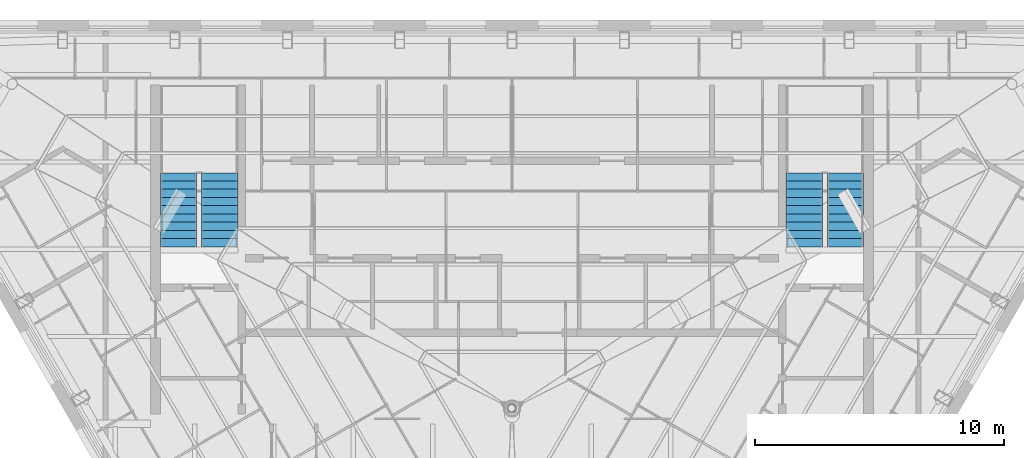
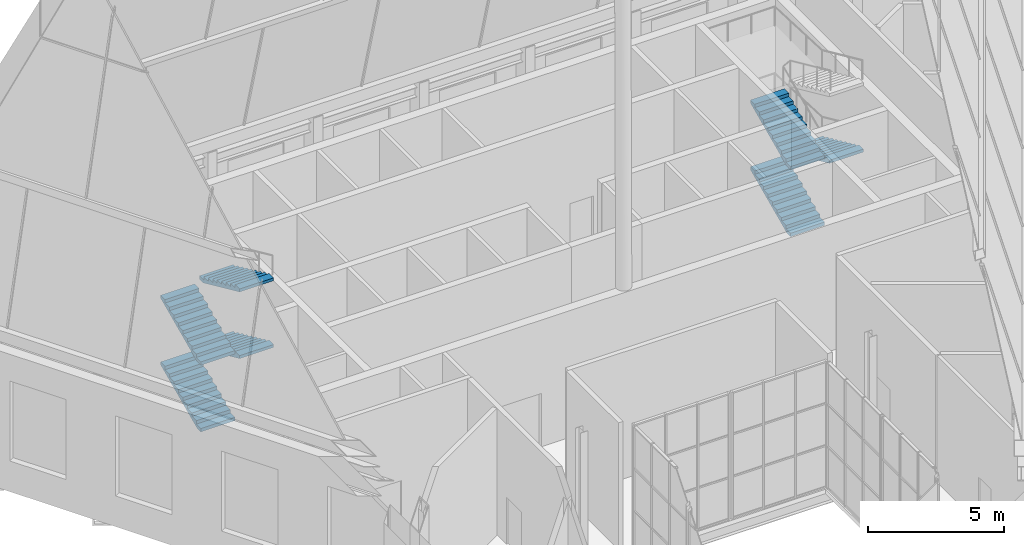
# One storey, part 34 of 36: 7 stair flights, 2 elements without a shape of their own.
"""IFC4 building model written with IfcOpenShell, lengths in metres."""

from ifc_helpers import new_model, si_unit, direction, frame, origin, place, context, subcontext, project, spatial, polygons, material, type_object, element, aggregate, save


model = new_model("IFC4")

# Units and contexts
model_context = context("Model", 3, precision=1e-05, world=origin(), true_north=direction((0.0, 1.0)))
body_context = subcontext(model_context, "Body", "Model", "MODEL_VIEW")
ifc_project = project(units=[si_unit("LENGTHUNIT", "METRE"), si_unit("AREAUNIT", "SQUARE_METRE"), si_unit("VOLUMEUNIT", "CUBIC_METRE"), si_unit("PLANEANGLEUNIT", "RADIAN"), si_unit("MASSUNIT", "GRAM", prefix="KILO")], contexts=[model_context])

# Site, building, storey
site_placement = place(None, origin())
site = spatial("IfcSite", under=ifc_project, at=site_placement, CompositionType="ELEMENT")
building_placement = place(site_placement, origin())
building = spatial("IfcBuilding", under=site, at=building_placement, Name="Njiva Tower", CompositionType="ELEMENT")
storey_placement = place(building_placement, frame((0.0, 0.0, 337.8)))
storey = spatial("IfcBuildingStorey", under=building, at=storey_placement, Name="L77", CompositionType="ELEMENT", Elevation=337.8)

# Stair, stair flights
ifc_material = material(Name="Concrete C40/50", Category="concrete")
stair_type = type_object("IfcStairType", Name="ST3 Exit stair 1450", PredefinedType="HALF_TURN_STAIR", material=ifc_material)
stair_1_placement = place(storey_placement, origin())
stair_1 = element("IfcStair", 1, at=stair_1_placement, inside=storey, type_object=stair_type, Name="Stair A", PredefinedType="DOUBLE_RETURN_STAIR")
stair_flight_type = type_object("IfcStairFlightType", Name="FL3 Stair flight 1450", PredefinedType="STRAIGHT", material=ifc_material)
stair_flight_1_placement = place(storey_placement, frame((-13.375, 11.1, 0.0), z_axis=(0.0, 0.0, 1.0), x_axis=(0.0, 1.0, 0.0)))
stair_flight_1 = element("IfcStairFlight", 2, at=stair_flight_1_placement, type_object=stair_flight_type, Name="ST-A flight 1", NumberOfRisers=10, NumberOfTreads=9, PredefinedType="STRAIGHT", RiserHeight=0.15, TreadLength=0.33, context=body_context, shape_type="Tessellation", body=[
    polygons([(0.0, 0.725, 0.0), (0.0, 0.3625, 0.0), (0.0, 0.0, 0.0), (0.0, -0.3625, 0.0), (0.0, -0.725, 0.0), (0.0, 0.725, 0.15), (0.0, 0.3625, 0.15), (0.0, 0.0, 0.15), (0.0, -0.3625, 0.15), (0.0, -0.725, 0.15), (0.33, 0.725, 0.15), (0.33, 0.3625, 0.15), (0.33, 0.0, 0.15), (0.33, -0.3625, 0.15), (0.33, -0.725, 0.15), (0.33, 0.725, 0.3), (0.33, 0.3625, 0.3), (0.33, 0.0, 0.3), (0.33, -0.3625, 0.3), (0.33, -0.725, 0.3), (0.66, 0.725, 0.3), (0.66, 0.3625, 0.3), (0.66, 0.0, 0.3), (0.66, -0.3625, 0.3), (0.66, -0.725, 0.3), (0.66, 0.725, 0.45), (0.66, 0.3625, 0.45), (0.66, 0.0, 0.45), (0.66, -0.3625, 0.45), (0.66, -0.725, 0.45), (0.99, 0.725, 0.45), (0.99, 0.3625, 0.45), (0.99, 0.0, 0.45), (0.99, -0.3625, 0.45), (0.99, -0.725, 0.45), (0.99, 0.725, 0.6), (0.99, 0.3625, 0.6), (0.99, 0.0, 0.6), (0.99, -0.3625, 0.6), (0.99, -0.725, 0.6), (1.32, 0.725, 0.6), (1.32, 0.3625, 0.6), (1.32, 0.0, 0.6), (1.32, -0.3625, 0.6), (1.32, -0.725, 0.6), (1.32, 0.725, 0.75), (1.32, 0.3625, 0.75), (1.32, 0.0, 0.75), (1.32, -0.3625, 0.75), (1.32, -0.725, 0.75), (1.65, 0.725, 0.75), (1.65, 0.3625, 0.75), (1.65, 0.0, 0.75), (1.65, -0.3625, 0.75), (1.65, -0.725, 0.75), (1.65, 0.725, 0.9), (1.65, 0.3625, 0.9), (1.65, 0.0, 0.9), (1.65, -0.3625, 0.9), (1.65, -0.725, 0.9), (1.98, 0.725, 0.9), (1.98, 0.3625, 0.9), (1.98, 0.0, 0.9), (1.98, -0.3625, 0.9), (1.98, -0.725, 0.9), (1.98, 0.725, 1.05), (1.98, 0.3625, 1.05), (1.98, 0.0, 1.05), (1.98, -0.3625, 1.05), (1.98, -0.725, 1.05), (2.31, 0.725, 1.05), (2.31, 0.3625, 1.05), (2.31, 0.0, 1.05), (2.31, -0.3625, 1.05), (2.31, -0.725, 1.05), (2.31, 0.725, 1.2), (2.31, 0.3625, 1.2), (2.31, 0.0, 1.2), (2.31, -0.3625, 1.2), (2.31, -0.725, 1.2), (2.64, 0.725, 1.2), (2.64, 0.3625, 1.2), (2.64, 0.0, 1.2), (2.64, -0.3625, 1.2), (2.64, -0.725, 1.2), (2.64, 0.725, 1.35), (2.64, 0.3625, 1.35), (2.64, 0.0, 1.35), (2.64, -0.3625, 1.35), (2.64, -0.725, 1.35), (2.97, 0.725, 1.35), (2.97, 0.3625, 1.35), (2.97, 0.0, 1.35), (2.97, -0.3625, 1.35), (2.97, -0.725, 1.35), (2.97, 0.725, 1.2182), (2.97, 0.3625, 1.2182), (2.97, 0.0, 1.2182), (2.97, -0.3625, 1.2182), (2.97, -0.725, 1.2182), (0.29, 0.725, 0.0), (0.29, 0.3625, 0.0), (0.29, 0.0, 0.0), (0.29, -0.3625, 0.0), (0.29, -0.725, 0.0)], [[[1, 6, 11, 16, 21, 26, 31, 36, 41, 46, 51, 56, 61, 66, 71, 76, 81, 86, 91, 96, 101]], [[105, 100, 95, 90, 85, 80, 75, 70, 65, 60, 55, 50, 45, 40, 35, 30, 25, 20, 15, 10, 5]], [[6, 1, 2, 7]], [[7, 2, 3, 8]], [[8, 3, 4, 9]], [[9, 4, 5, 10]], [[11, 6, 7, 12]], [[12, 7, 8, 13]], [[13, 8, 9, 14]], [[14, 9, 10, 15]], [[16, 11, 12, 17]], [[17, 12, 13, 18]], [[18, 13, 14, 19]], [[19, 14, 15, 20]], [[21, 16, 17, 22]], [[22, 17, 18, 23]], [[23, 18, 19, 24]], [[24, 19, 20, 25]], [[26, 21, 22, 27]], [[27, 22, 23, 28]], [[28, 23, 24, 29]], [[29, 24, 25, 30]], [[31, 26, 27, 32]], [[32, 27, 28, 33]], [[33, 28, 29, 34]], [[34, 29, 30, 35]], [[36, 31, 32, 37]], [[37, 32, 33, 38]], [[38, 33, 34, 39]], [[39, 34, 35, 40]], [[41, 36, 37, 42]], [[42, 37, 38, 43]], [[43, 38, 39, 44]], [[44, 39, 40, 45]], [[46, 41, 42, 47]], [[47, 42, 43, 48]], [[48, 43, 44, 49]], [[49, 44, 45, 50]], [[51, 46, 47, 52]], [[52, 47, 48, 53]], [[53, 48, 49, 54]], [[54, 49, 50, 55]], [[56, 51, 52, 57]], [[57, 52, 53, 58]], [[58, 53, 54, 59]], [[59, 54, 55, 60]], [[61, 56, 57, 62]], [[62, 57, 58, 63]], [[63, 58, 59, 64]], [[64, 59, 60, 65]], [[66, 61, 62, 67]], [[67, 62, 63, 68]], [[68, 63, 64, 69]], [[69, 64, 65, 70]], [[71, 66, 67, 72]], [[72, 67, 68, 73]], [[73, 68, 69, 74]], [[74, 69, 70, 75]], [[76, 71, 72, 77]], [[77, 72, 73, 78]], [[78, 73, 74, 79]], [[79, 74, 75, 80]], [[81, 76, 77, 82]], [[82, 77, 78, 83]], [[83, 78, 79, 84]], [[84, 79, 80, 85]], [[86, 81, 82, 87]], [[87, 82, 83, 88]], [[88, 83, 84, 89]], [[89, 84, 85, 90]], [[91, 86, 87, 92]], [[92, 87, 88, 93]], [[93, 88, 89, 94]], [[94, 89, 90, 95]], [[96, 91, 92, 97]], [[97, 92, 93, 98]], [[98, 93, 94, 99]], [[99, 94, 95, 100]], [[101, 96, 97, 102]], [[102, 97, 98, 103]], [[103, 98, 99, 104]], [[104, 99, 100, 105]], [[1, 101, 102, 2]], [[2, 102, 103, 3]], [[3, 103, 104, 4]], [[4, 104, 105, 5]]], closed=True),
])
stair_flight_2_placement = place(storey_placement, frame((-11.725, 14.07, 1.5), z_axis=(0.0, 0.0, 1.0), x_axis=(0.0, -1.0, 0.0)))
stair_flight_2 = element("IfcStairFlight", 3, at=stair_flight_2_placement, type_object=stair_flight_type, Name="ST-A flight 2", NumberOfRisers=10, NumberOfTreads=9, PredefinedType="STRAIGHT", RiserHeight=0.15, TreadLength=0.33, context=body_context, shape_type="Tessellation", body=[
    polygons([(0.0, 0.725, 0.0), (0.0, 0.3625, 0.0), (0.0, 0.0, 0.0), (0.0, -0.3625, 0.0), (0.0, -0.725, 0.0), (0.0, 0.725, 0.15), (0.0, 0.3625, 0.15), (0.0, 0.0, 0.15), (0.0, -0.3625, 0.15), (0.0, -0.725, 0.15), (0.33, 0.725, 0.15), (0.33, 0.3625, 0.15), (0.33, 0.0, 0.15), (0.33, -0.3625, 0.15), (0.33, -0.725, 0.15), (0.33, 0.725, 0.3), (0.33, 0.3625, 0.3), (0.33, 0.0, 0.3), (0.33, -0.3625, 0.3), (0.33, -0.725, 0.3), (0.66, 0.725, 0.3), (0.66, 0.3625, 0.3), (0.66, 0.0, 0.3), (0.66, -0.3625, 0.3), (0.66, -0.725, 0.3), (0.66, 0.725, 0.45), (0.66, 0.3625, 0.45), (0.66, 0.0, 0.45), (0.66, -0.3625, 0.45), (0.66, -0.725, 0.45), (0.99, 0.725, 0.45), (0.99, 0.3625, 0.45), (0.99, 0.0, 0.45), (0.99, -0.3625, 0.45), (0.99, -0.725, 0.45), (0.99, 0.725, 0.6), (0.99, 0.3625, 0.6), (0.99, 0.0, 0.6), (0.99, -0.3625, 0.6), (0.99, -0.725, 0.6), (1.32, 0.725, 0.6), (1.32, 0.3625, 0.6), (1.32, 0.0, 0.6), (1.32, -0.3625, 0.6), (1.32, -0.725, 0.6), (1.32, 0.725, 0.75), (1.32, 0.3625, 0.75), (1.32, 0.0, 0.75), (1.32, -0.3625, 0.75), (1.32, -0.725, 0.75), (1.65, 0.725, 0.75), (1.65, 0.3625, 0.75), (1.65, 0.0, 0.75), (1.65, -0.3625, 0.75), (1.65, -0.725, 0.75), (1.65, 0.725, 0.9), (1.65, 0.3625, 0.9), (1.65, 0.0, 0.9), (1.65, -0.3625, 0.9), (1.65, -0.725, 0.9), (1.98, 0.725, 0.9), (1.98, 0.3625, 0.9), (1.98, 0.0, 0.9), (1.98, -0.3625, 0.9), (1.98, -0.725, 0.9), (1.98, 0.725, 1.05), (1.98, 0.3625, 1.05), (1.98, 0.0, 1.05), (1.98, -0.3625, 1.05), (1.98, -0.725, 1.05), (2.31, 0.725, 1.05), (2.31, 0.3625, 1.05), (2.31, 0.0, 1.05), (2.31, -0.3625, 1.05), (2.31, -0.725, 1.05), (2.31, 0.725, 1.2), (2.31, 0.3625, 1.2), (2.31, 0.0, 1.2), (2.31, -0.3625, 1.2), (2.31, -0.725, 1.2), (2.64, 0.725, 1.2), (2.64, 0.3625, 1.2), (2.64, 0.0, 1.2), (2.64, -0.3625, 1.2), (2.64, -0.725, 1.2), (2.64, 0.725, 1.35), (2.64, 0.3625, 1.35), (2.64, 0.0, 1.35), (2.64, -0.3625, 1.35), (2.64, -0.725, 1.35), (2.97, 0.725, 1.35), (2.97, 0.3625, 1.35), (2.97, 0.0, 1.35), (2.97, -0.3625, 1.35), (2.97, -0.725, 1.35), (2.97, 0.725, 1.2182), (2.97, 0.3625, 1.2182), (2.97, 0.0, 1.2182), (2.97, -0.3625, 1.2182), (2.97, -0.725, 1.2182), (0.29, 0.725, 0.0), (0.29, 0.3625, 0.0), (0.29, 0.0, 0.0), (0.29, -0.3625, 0.0), (0.29, -0.725, 0.0)], [[[1, 6, 11, 16, 21, 26, 31, 36, 41, 46, 51, 56, 61, 66, 71, 76, 81, 86, 91, 96, 101]], [[105, 100, 95, 90, 85, 80, 75, 70, 65, 60, 55, 50, 45, 40, 35, 30, 25, 20, 15, 10, 5]], [[6, 1, 2, 7]], [[7, 2, 3, 8]], [[8, 3, 4, 9]], [[9, 4, 5, 10]], [[11, 6, 7, 12]], [[12, 7, 8, 13]], [[13, 8, 9, 14]], [[14, 9, 10, 15]], [[16, 11, 12, 17]], [[17, 12, 13, 18]], [[18, 13, 14, 19]], [[19, 14, 15, 20]], [[21, 16, 17, 22]], [[22, 17, 18, 23]], [[23, 18, 19, 24]], [[24, 19, 20, 25]], [[26, 21, 22, 27]], [[27, 22, 23, 28]], [[28, 23, 24, 29]], [[29, 24, 25, 30]], [[31, 26, 27, 32]], [[32, 27, 28, 33]], [[33, 28, 29, 34]], [[34, 29, 30, 35]], [[36, 31, 32, 37]], [[37, 32, 33, 38]], [[38, 33, 34, 39]], [[39, 34, 35, 40]], [[41, 36, 37, 42]], [[42, 37, 38, 43]], [[43, 38, 39, 44]], [[44, 39, 40, 45]], [[46, 41, 42, 47]], [[47, 42, 43, 48]], [[48, 43, 44, 49]], [[49, 44, 45, 50]], [[51, 46, 47, 52]], [[52, 47, 48, 53]], [[53, 48, 49, 54]], [[54, 49, 50, 55]], [[56, 51, 52, 57]], [[57, 52, 53, 58]], [[58, 53, 54, 59]], [[59, 54, 55, 60]], [[61, 56, 57, 62]], [[62, 57, 58, 63]], [[63, 58, 59, 64]], [[64, 59, 60, 65]], [[66, 61, 62, 67]], [[67, 62, 63, 68]], [[68, 63, 64, 69]], [[69, 64, 65, 70]], [[71, 66, 67, 72]], [[72, 67, 68, 73]], [[73, 68, 69, 74]], [[74, 69, 70, 75]], [[76, 71, 72, 77]], [[77, 72, 73, 78]], [[78, 73, 74, 79]], [[79, 74, 75, 80]], [[81, 76, 77, 82]], [[82, 77, 78, 83]], [[83, 78, 79, 84]], [[84, 79, 80, 85]], [[86, 81, 82, 87]], [[87, 82, 83, 88]], [[88, 83, 84, 89]], [[89, 84, 85, 90]], [[91, 86, 87, 92]], [[92, 87, 88, 93]], [[93, 88, 89, 94]], [[94, 89, 90, 95]], [[96, 91, 92, 97]], [[97, 92, 93, 98]], [[98, 93, 94, 99]], [[99, 94, 95, 100]], [[101, 96, 97, 102]], [[102, 97, 98, 103]], [[103, 98, 99, 104]], [[104, 99, 100, 105]], [[1, 101, 102, 2]], [[2, 102, 103, 3]], [[3, 103, 104, 4]], [[4, 104, 105, 5]]], closed=True),
])
stair_flight_3_placement = place(storey_placement, frame((-13.375, 11.1, 3.0), z_axis=(0.0, 0.0, 1.0), x_axis=(0.0, 1.0, 0.0)))
stair_flight_3 = element("IfcStairFlight", 4, at=stair_flight_3_placement, type_object=stair_flight_type, Name="ST-A flight 3", NumberOfRisers=10, NumberOfTreads=9, PredefinedType="STRAIGHT", RiserHeight=0.15, TreadLength=0.33, context=body_context, shape_type="Tessellation", body=[
    polygons([(0.0, 0.725, 0.0), (0.0, 0.3625, 0.0), (0.0, 0.0, 0.0), (0.0, -0.3625, 0.0), (0.0, -0.725, 0.0), (0.0, 0.725, 0.15), (0.0, 0.3625, 0.15), (0.0, 0.0, 0.15), (0.0, -0.3625, 0.15), (0.0, -0.725, 0.15), (0.33, 0.725, 0.15), (0.33, 0.3625, 0.15), (0.33, 0.0, 0.15), (0.33, -0.3625, 0.15), (0.33, -0.725, 0.15), (0.33, 0.725, 0.3), (0.33, 0.3625, 0.3), (0.33, 0.0, 0.3), (0.33, -0.3625, 0.3), (0.33, -0.725, 0.3), (0.66, 0.725, 0.3), (0.66, 0.3625, 0.3), (0.66, 0.0, 0.3), (0.66, -0.3625, 0.3), (0.66, -0.725, 0.3), (0.66, 0.725, 0.45), (0.66, 0.3625, 0.45), (0.66, 0.0, 0.45), (0.66, -0.3625, 0.45), (0.66, -0.725, 0.45), (0.99, 0.725, 0.45), (0.99, 0.3625, 0.45), (0.99, 0.0, 0.45), (0.99, -0.3625, 0.45), (0.99, -0.725, 0.45), (0.99, 0.725, 0.6), (0.99, 0.3625, 0.6), (0.99, 0.0, 0.6), (0.99, -0.3625, 0.6), (0.99, -0.725, 0.6), (1.32, 0.725, 0.6), (1.32, 0.3625, 0.6), (1.32, 0.0, 0.6), (1.32, -0.3625, 0.6), (1.32, -0.725, 0.6), (1.32, 0.725, 0.75), (1.32, 0.3625, 0.75), (1.32, 0.0, 0.75), (1.32, -0.3625, 0.75), (1.32, -0.725, 0.75), (1.65, 0.725, 0.75), (1.65, 0.3625, 0.75), (1.65, 0.0, 0.75), (1.65, -0.3625, 0.75), (1.65, -0.725, 0.75), (1.65, 0.725, 0.9), (1.65, 0.3625, 0.9), (1.65, 0.0, 0.9), (1.65, -0.3625, 0.9), (1.65, -0.725, 0.9), (1.98, 0.725, 0.9), (1.98, 0.3625, 0.9), (1.98, 0.0, 0.9), (1.98, -0.3625, 0.9), (1.98, -0.725, 0.9), (1.98, 0.725, 1.05), (1.98, 0.3625, 1.05), (1.98, 0.0, 1.05), (1.98, -0.3625, 1.05), (1.98, -0.725, 1.05), (2.31, 0.725, 1.05), (2.31, 0.3625, 1.05), (2.31, 0.0, 1.05), (2.31, -0.3625, 1.05), (2.31, -0.725, 1.05), (2.31, 0.725, 1.2), (2.31, 0.3625, 1.2), (2.31, 0.0, 1.2), (2.31, -0.3625, 1.2), (2.31, -0.725, 1.2), (2.64, 0.725, 1.2), (2.64, 0.3625, 1.2), (2.64, 0.0, 1.2), (2.64, -0.3625, 1.2), (2.64, -0.725, 1.2), (2.64, 0.725, 1.35), (2.64, 0.3625, 1.35), (2.64, 0.0, 1.35), (2.64, -0.3625, 1.35), (2.64, -0.725, 1.35), (2.97, 0.725, 1.35), (2.97, 0.3625, 1.35), (2.97, 0.0, 1.35), (2.97, -0.3625, 1.35), (2.97, -0.725, 1.35), (2.97, 0.725, 1.2182), (2.97, 0.3625, 1.2182), (2.97, 0.0, 1.2182), (2.97, -0.3625, 1.2182), (2.97, -0.725, 1.2182), (0.29, 0.725, 0.0), (0.29, 0.3625, 0.0), (0.29, 0.0, 0.0), (0.29, -0.3625, 0.0), (0.29, -0.725, 0.0)], [[[1, 6, 11, 16, 21, 26, 31, 36, 41, 46, 51, 56, 61, 66, 71, 76, 81, 86, 91, 96, 101]], [[105, 100, 95, 90, 85, 80, 75, 70, 65, 60, 55, 50, 45, 40, 35, 30, 25, 20, 15, 10, 5]], [[6, 1, 2, 7]], [[7, 2, 3, 8]], [[8, 3, 4, 9]], [[9, 4, 5, 10]], [[11, 6, 7, 12]], [[12, 7, 8, 13]], [[13, 8, 9, 14]], [[14, 9, 10, 15]], [[16, 11, 12, 17]], [[17, 12, 13, 18]], [[18, 13, 14, 19]], [[19, 14, 15, 20]], [[21, 16, 17, 22]], [[22, 17, 18, 23]], [[23, 18, 19, 24]], [[24, 19, 20, 25]], [[26, 21, 22, 27]], [[27, 22, 23, 28]], [[28, 23, 24, 29]], [[29, 24, 25, 30]], [[31, 26, 27, 32]], [[32, 27, 28, 33]], [[33, 28, 29, 34]], [[34, 29, 30, 35]], [[36, 31, 32, 37]], [[37, 32, 33, 38]], [[38, 33, 34, 39]], [[39, 34, 35, 40]], [[41, 36, 37, 42]], [[42, 37, 38, 43]], [[43, 38, 39, 44]], [[44, 39, 40, 45]], [[46, 41, 42, 47]], [[47, 42, 43, 48]], [[48, 43, 44, 49]], [[49, 44, 45, 50]], [[51, 46, 47, 52]], [[52, 47, 48, 53]], [[53, 48, 49, 54]], [[54, 49, 50, 55]], [[56, 51, 52, 57]], [[57, 52, 53, 58]], [[58, 53, 54, 59]], [[59, 54, 55, 60]], [[61, 56, 57, 62]], [[62, 57, 58, 63]], [[63, 58, 59, 64]], [[64, 59, 60, 65]], [[66, 61, 62, 67]], [[67, 62, 63, 68]], [[68, 63, 64, 69]], [[69, 64, 65, 70]], [[71, 66, 67, 72]], [[72, 67, 68, 73]], [[73, 68, 69, 74]], [[74, 69, 70, 75]], [[76, 71, 72, 77]], [[77, 72, 73, 78]], [[78, 73, 74, 79]], [[79, 74, 75, 80]], [[81, 76, 77, 82]], [[82, 77, 78, 83]], [[83, 78, 79, 84]], [[84, 79, 80, 85]], [[86, 81, 82, 87]], [[87, 82, 83, 88]], [[88, 83, 84, 89]], [[89, 84, 85, 90]], [[91, 86, 87, 92]], [[92, 87, 88, 93]], [[93, 88, 89, 94]], [[94, 89, 90, 95]], [[96, 91, 92, 97]], [[97, 92, 93, 98]], [[98, 93, 94, 99]], [[99, 94, 95, 100]], [[101, 96, 97, 102]], [[102, 97, 98, 103]], [[103, 98, 99, 104]], [[104, 99, 100, 105]], [[1, 101, 102, 2]], [[2, 102, 103, 3]], [[3, 103, 104, 4]], [[4, 104, 105, 5]]], closed=True),
])
stair_flight_4_placement = place(storey_placement, frame((-11.725, 14.07, 4.5), z_axis=(0.0, 0.0, 1.0), x_axis=(0.0, -1.0, 0.0)))
stair_flight_4 = element("IfcStairFlight", 5, at=stair_flight_4_placement, type_object=stair_flight_type, Name="ST-A flight 4", NumberOfRisers=10, NumberOfTreads=9, PredefinedType="STRAIGHT", RiserHeight=0.15, TreadLength=0.33, context=body_context, shape_type="Tessellation", body=[
    polygons([(0.0, 0.725, 0.0), (0.0, 0.3625, 0.0), (0.0, 0.0, 0.0), (0.0, -0.3625, 0.0), (0.0, -0.725, 0.0), (0.0, 0.725, 0.15), (0.0, 0.3625, 0.15), (0.0, 0.0, 0.15), (0.0, -0.3625, 0.15), (0.0, -0.725, 0.15), (0.33, 0.725, 0.15), (0.33, 0.3625, 0.15), (0.33, 0.0, 0.15), (0.33, -0.3625, 0.15), (0.33, -0.725, 0.15), (0.33, 0.725, 0.3), (0.33, 0.3625, 0.3), (0.33, 0.0, 0.3), (0.33, -0.3625, 0.3), (0.33, -0.725, 0.3), (0.66, 0.725, 0.3), (0.66, 0.3625, 0.3), (0.66, 0.0, 0.3), (0.66, -0.3625, 0.3), (0.66, -0.725, 0.3), (0.66, 0.725, 0.45), (0.66, 0.3625, 0.45), (0.66, 0.0, 0.45), (0.66, -0.3625, 0.45), (0.66, -0.725, 0.45), (0.99, 0.725, 0.45), (0.99, 0.3625, 0.45), (0.99, 0.0, 0.45), (0.99, -0.3625, 0.45), (0.99, -0.725, 0.45), (0.99, 0.725, 0.6), (0.99, 0.3625, 0.6), (0.99, 0.0, 0.6), (0.99, -0.3625, 0.6), (0.99, -0.725, 0.6), (1.32, 0.725, 0.6), (1.32, 0.3625, 0.6), (1.32, 0.0, 0.6), (1.32, -0.3625, 0.6), (1.32, -0.725, 0.6), (1.32, 0.725, 0.75), (1.32, 0.3625, 0.75), (1.32, 0.0, 0.75), (1.32, -0.3625, 0.75), (1.32, -0.725, 0.75), (1.65, 0.725, 0.75), (1.65, 0.3625, 0.75), (1.65, 0.0, 0.75), (1.65, -0.3625, 0.75), (1.65, -0.725, 0.75), (1.65, 0.725, 0.9), (1.65, 0.3625, 0.9), (1.65, 0.0, 0.9), (1.65, -0.3625, 0.9), (1.65, -0.725, 0.9), (1.98, 0.725, 0.9), (1.98, 0.3625, 0.9), (1.98, 0.0, 0.9), (1.98, -0.3625, 0.9), (1.98, -0.725, 0.9), (1.98, 0.725, 1.05), (1.98, 0.3625, 1.05), (1.98, 0.0, 1.05), (1.98, -0.3625, 1.05), (1.98, -0.725, 1.05), (2.31, 0.725, 1.05), (2.31, 0.3625, 1.05), (2.31, 0.0, 1.05), (2.31, -0.3625, 1.05), (2.31, -0.725, 1.05), (2.31, 0.725, 1.2), (2.31, 0.3625, 1.2), (2.31, 0.0, 1.2), (2.31, -0.3625, 1.2), (2.31, -0.725, 1.2), (2.64, 0.725, 1.2), (2.64, 0.3625, 1.2), (2.64, 0.0, 1.2), (2.64, -0.3625, 1.2), (2.64, -0.725, 1.2), (2.64, 0.725, 1.35), (2.64, 0.3625, 1.35), (2.64, 0.0, 1.35), (2.64, -0.3625, 1.35), (2.64, -0.725, 1.35), (2.97, 0.725, 1.35), (2.97, 0.3625, 1.35), (2.97, 0.0, 1.35), (2.97, -0.3625, 1.35), (2.97, -0.725, 1.35), (2.97, 0.725, 1.2182), (2.97, 0.3625, 1.2182), (2.97, 0.0, 1.2182), (2.97, -0.3625, 1.2182), (2.97, -0.725, 1.2182), (0.29, 0.725, 0.0), (0.29, 0.3625, 0.0), (0.29, 0.0, 0.0), (0.29, -0.3625, 0.0), (0.29, -0.725, 0.0)], [[[1, 6, 11, 16, 21, 26, 31, 36, 41, 46, 51, 56, 61, 66, 71, 76, 81, 86, 91, 96, 101]], [[105, 100, 95, 90, 85, 80, 75, 70, 65, 60, 55, 50, 45, 40, 35, 30, 25, 20, 15, 10, 5]], [[6, 1, 2, 7]], [[7, 2, 3, 8]], [[8, 3, 4, 9]], [[9, 4, 5, 10]], [[11, 6, 7, 12]], [[12, 7, 8, 13]], [[13, 8, 9, 14]], [[14, 9, 10, 15]], [[16, 11, 12, 17]], [[17, 12, 13, 18]], [[18, 13, 14, 19]], [[19, 14, 15, 20]], [[21, 16, 17, 22]], [[22, 17, 18, 23]], [[23, 18, 19, 24]], [[24, 19, 20, 25]], [[26, 21, 22, 27]], [[27, 22, 23, 28]], [[28, 23, 24, 29]], [[29, 24, 25, 30]], [[31, 26, 27, 32]], [[32, 27, 28, 33]], [[33, 28, 29, 34]], [[34, 29, 30, 35]], [[36, 31, 32, 37]], [[37, 32, 33, 38]], [[38, 33, 34, 39]], [[39, 34, 35, 40]], [[41, 36, 37, 42]], [[42, 37, 38, 43]], [[43, 38, 39, 44]], [[44, 39, 40, 45]], [[46, 41, 42, 47]], [[47, 42, 43, 48]], [[48, 43, 44, 49]], [[49, 44, 45, 50]], [[51, 46, 47, 52]], [[52, 47, 48, 53]], [[53, 48, 49, 54]], [[54, 49, 50, 55]], [[56, 51, 52, 57]], [[57, 52, 53, 58]], [[58, 53, 54, 59]], [[59, 54, 55, 60]], [[61, 56, 57, 62]], [[62, 57, 58, 63]], [[63, 58, 59, 64]], [[64, 59, 60, 65]], [[66, 61, 62, 67]], [[67, 62, 63, 68]], [[68, 63, 64, 69]], [[69, 64, 65, 70]], [[71, 66, 67, 72]], [[72, 67, 68, 73]], [[73, 68, 69, 74]], [[74, 69, 70, 75]], [[76, 71, 72, 77]], [[77, 72, 73, 78]], [[78, 73, 74, 79]], [[79, 74, 75, 80]], [[81, 76, 77, 82]], [[82, 77, 78, 83]], [[83, 78, 79, 84]], [[84, 79, 80, 85]], [[86, 81, 82, 87]], [[87, 82, 83, 88]], [[88, 83, 84, 89]], [[89, 84, 85, 90]], [[91, 86, 87, 92]], [[92, 87, 88, 93]], [[93, 88, 89, 94]], [[94, 89, 90, 95]], [[96, 91, 92, 97]], [[97, 92, 93, 98]], [[98, 93, 94, 99]], [[99, 94, 95, 100]], [[101, 96, 97, 102]], [[102, 97, 98, 103]], [[103, 98, 99, 104]], [[104, 99, 100, 105]], [[1, 101, 102, 2]], [[2, 102, 103, 3]], [[3, 103, 104, 4]], [[4, 104, 105, 5]]], closed=True),
])
aggregate(stair_1, [stair_flight_1, stair_flight_2, stair_flight_3, stair_flight_4])

stair_2_placement = place(storey_placement, origin())
stair_2 = element("IfcStair", 6, at=stair_2_placement, inside=storey, type_object=stair_type, Name="Stair B", PredefinedType="DOUBLE_RETURN_STAIR")
stair_flight_5_placement = place(storey_placement, frame((11.725, 11.1, 0.0), z_axis=(0.0, 0.0, 1.0), x_axis=(0.0, 1.0, 0.0)))
stair_flight_5 = element("IfcStairFlight", 7, at=stair_flight_5_placement, type_object=stair_flight_type, Name="ST-B flight 1", NumberOfRisers=10, NumberOfTreads=9, PredefinedType="STRAIGHT", RiserHeight=0.15, TreadLength=0.33, context=body_context, shape_type="Tessellation", body=[
    polygons([(0.0, 0.725, 0.0), (0.0, 0.3625, 0.0), (0.0, 0.0, 0.0), (0.0, -0.3625, 0.0), (0.0, -0.725, 0.0), (0.0, 0.725, 0.15), (0.0, 0.3625, 0.15), (0.0, 0.0, 0.15), (0.0, -0.3625, 0.15), (0.0, -0.725, 0.15), (0.33, 0.725, 0.15), (0.33, 0.3625, 0.15), (0.33, 0.0, 0.15), (0.33, -0.3625, 0.15), (0.33, -0.725, 0.15), (0.33, 0.725, 0.3), (0.33, 0.3625, 0.3), (0.33, 0.0, 0.3), (0.33, -0.3625, 0.3), (0.33, -0.725, 0.3), (0.66, 0.725, 0.3), (0.66, 0.3625, 0.3), (0.66, 0.0, 0.3), (0.66, -0.3625, 0.3), (0.66, -0.725, 0.3), (0.66, 0.725, 0.45), (0.66, 0.3625, 0.45), (0.66, 0.0, 0.45), (0.66, -0.3625, 0.45), (0.66, -0.725, 0.45), (0.99, 0.725, 0.45), (0.99, 0.3625, 0.45), (0.99, 0.0, 0.45), (0.99, -0.3625, 0.45), (0.99, -0.725, 0.45), (0.99, 0.725, 0.6), (0.99, 0.3625, 0.6), (0.99, 0.0, 0.6), (0.99, -0.3625, 0.6), (0.99, -0.725, 0.6), (1.32, 0.725, 0.6), (1.32, 0.3625, 0.6), (1.32, 0.0, 0.6), (1.32, -0.3625, 0.6), (1.32, -0.725, 0.6), (1.32, 0.725, 0.75), (1.32, 0.3625, 0.75), (1.32, 0.0, 0.75), (1.32, -0.3625, 0.75), (1.32, -0.725, 0.75), (1.65, 0.725, 0.75), (1.65, 0.3625, 0.75), (1.65, 0.0, 0.75), (1.65, -0.3625, 0.75), (1.65, -0.725, 0.75), (1.65, 0.725, 0.9), (1.65, 0.3625, 0.9), (1.65, 0.0, 0.9), (1.65, -0.3625, 0.9), (1.65, -0.725, 0.9), (1.98, 0.725, 0.9), (1.98, 0.3625, 0.9), (1.98, 0.0, 0.9), (1.98, -0.3625, 0.9), (1.98, -0.725, 0.9), (1.98, 0.725, 1.05), (1.98, 0.3625, 1.05), (1.98, 0.0, 1.05), (1.98, -0.3625, 1.05), (1.98, -0.725, 1.05), (2.31, 0.725, 1.05), (2.31, 0.3625, 1.05), (2.31, 0.0, 1.05), (2.31, -0.3625, 1.05), (2.31, -0.725, 1.05), (2.31, 0.725, 1.2), (2.31, 0.3625, 1.2), (2.31, 0.0, 1.2), (2.31, -0.3625, 1.2), (2.31, -0.725, 1.2), (2.64, 0.725, 1.2), (2.64, 0.3625, 1.2), (2.64, 0.0, 1.2), (2.64, -0.3625, 1.2), (2.64, -0.725, 1.2), (2.64, 0.725, 1.35), (2.64, 0.3625, 1.35), (2.64, 0.0, 1.35), (2.64, -0.3625, 1.35), (2.64, -0.725, 1.35), (2.97, 0.725, 1.35), (2.97, 0.3625, 1.35), (2.97, 0.0, 1.35), (2.97, -0.3625, 1.35), (2.97, -0.725, 1.35), (2.97, 0.725, 1.2182), (2.97, 0.3625, 1.2182), (2.97, 0.0, 1.2182), (2.97, -0.3625, 1.2182), (2.97, -0.725, 1.2182), (0.29, 0.725, 0.0), (0.29, 0.3625, 0.0), (0.29, 0.0, 0.0), (0.29, -0.3625, 0.0), (0.29, -0.725, 0.0)], [[[1, 6, 11, 16, 21, 26, 31, 36, 41, 46, 51, 56, 61, 66, 71, 76, 81, 86, 91, 96, 101]], [[105, 100, 95, 90, 85, 80, 75, 70, 65, 60, 55, 50, 45, 40, 35, 30, 25, 20, 15, 10, 5]], [[6, 1, 2, 7]], [[7, 2, 3, 8]], [[8, 3, 4, 9]], [[9, 4, 5, 10]], [[11, 6, 7, 12]], [[12, 7, 8, 13]], [[13, 8, 9, 14]], [[14, 9, 10, 15]], [[16, 11, 12, 17]], [[17, 12, 13, 18]], [[18, 13, 14, 19]], [[19, 14, 15, 20]], [[21, 16, 17, 22]], [[22, 17, 18, 23]], [[23, 18, 19, 24]], [[24, 19, 20, 25]], [[26, 21, 22, 27]], [[27, 22, 23, 28]], [[28, 23, 24, 29]], [[29, 24, 25, 30]], [[31, 26, 27, 32]], [[32, 27, 28, 33]], [[33, 28, 29, 34]], [[34, 29, 30, 35]], [[36, 31, 32, 37]], [[37, 32, 33, 38]], [[38, 33, 34, 39]], [[39, 34, 35, 40]], [[41, 36, 37, 42]], [[42, 37, 38, 43]], [[43, 38, 39, 44]], [[44, 39, 40, 45]], [[46, 41, 42, 47]], [[47, 42, 43, 48]], [[48, 43, 44, 49]], [[49, 44, 45, 50]], [[51, 46, 47, 52]], [[52, 47, 48, 53]], [[53, 48, 49, 54]], [[54, 49, 50, 55]], [[56, 51, 52, 57]], [[57, 52, 53, 58]], [[58, 53, 54, 59]], [[59, 54, 55, 60]], [[61, 56, 57, 62]], [[62, 57, 58, 63]], [[63, 58, 59, 64]], [[64, 59, 60, 65]], [[66, 61, 62, 67]], [[67, 62, 63, 68]], [[68, 63, 64, 69]], [[69, 64, 65, 70]], [[71, 66, 67, 72]], [[72, 67, 68, 73]], [[73, 68, 69, 74]], [[74, 69, 70, 75]], [[76, 71, 72, 77]], [[77, 72, 73, 78]], [[78, 73, 74, 79]], [[79, 74, 75, 80]], [[81, 76, 77, 82]], [[82, 77, 78, 83]], [[83, 78, 79, 84]], [[84, 79, 80, 85]], [[86, 81, 82, 87]], [[87, 82, 83, 88]], [[88, 83, 84, 89]], [[89, 84, 85, 90]], [[91, 86, 87, 92]], [[92, 87, 88, 93]], [[93, 88, 89, 94]], [[94, 89, 90, 95]], [[96, 91, 92, 97]], [[97, 92, 93, 98]], [[98, 93, 94, 99]], [[99, 94, 95, 100]], [[101, 96, 97, 102]], [[102, 97, 98, 103]], [[103, 98, 99, 104]], [[104, 99, 100, 105]], [[1, 101, 102, 2]], [[2, 102, 103, 3]], [[3, 103, 104, 4]], [[4, 104, 105, 5]]], closed=True),
])
stair_flight_6_placement = place(storey_placement, frame((13.375, 14.07, 1.5), z_axis=(0.0, 0.0, 1.0), x_axis=(0.0, -1.0, 0.0)))
stair_flight_6 = element("IfcStairFlight", 8, at=stair_flight_6_placement, type_object=stair_flight_type, Name="ST-B flight 2", NumberOfRisers=10, NumberOfTreads=9, PredefinedType="STRAIGHT", RiserHeight=0.15, TreadLength=0.33, context=body_context, shape_type="Tessellation", body=[
    polygons([(0.0, 0.725, 0.0), (0.0, 0.3625, 0.0), (0.0, 0.0, 0.0), (0.0, -0.3625, 0.0), (0.0, -0.725, 0.0), (0.0, 0.725, 0.15), (0.0, 0.3625, 0.15), (0.0, 0.0, 0.15), (0.0, -0.3625, 0.15), (0.0, -0.725, 0.15), (0.33, 0.725, 0.15), (0.33, 0.3625, 0.15), (0.33, 0.0, 0.15), (0.33, -0.3625, 0.15), (0.33, -0.725, 0.15), (0.33, 0.725, 0.3), (0.33, 0.3625, 0.3), (0.33, 0.0, 0.3), (0.33, -0.3625, 0.3), (0.33, -0.725, 0.3), (0.66, 0.725, 0.3), (0.66, 0.3625, 0.3), (0.66, 0.0, 0.3), (0.66, -0.3625, 0.3), (0.66, -0.725, 0.3), (0.66, 0.725, 0.45), (0.66, 0.3625, 0.45), (0.66, 0.0, 0.45), (0.66, -0.3625, 0.45), (0.66, -0.725, 0.45), (0.99, 0.725, 0.45), (0.99, 0.3625, 0.45), (0.99, 0.0, 0.45), (0.99, -0.3625, 0.45), (0.99, -0.725, 0.45), (0.99, 0.725, 0.6), (0.99, 0.3625, 0.6), (0.99, 0.0, 0.6), (0.99, -0.3625, 0.6), (0.99, -0.725, 0.6), (1.32, 0.725, 0.6), (1.32, 0.3625, 0.6), (1.32, 0.0, 0.6), (1.32, -0.3625, 0.6), (1.32, -0.725, 0.6), (1.32, 0.725, 0.75), (1.32, 0.3625, 0.75), (1.32, 0.0, 0.75), (1.32, -0.3625, 0.75), (1.32, -0.725, 0.75), (1.65, 0.725, 0.75), (1.65, 0.3625, 0.75), (1.65, 0.0, 0.75), (1.65, -0.3625, 0.75), (1.65, -0.725, 0.75), (1.65, 0.725, 0.9), (1.65, 0.3625, 0.9), (1.65, 0.0, 0.9), (1.65, -0.3625, 0.9), (1.65, -0.725, 0.9), (1.98, 0.725, 0.9), (1.98, 0.3625, 0.9), (1.98, 0.0, 0.9), (1.98, -0.3625, 0.9), (1.98, -0.725, 0.9), (1.98, 0.725, 1.05), (1.98, 0.3625, 1.05), (1.98, 0.0, 1.05), (1.98, -0.3625, 1.05), (1.98, -0.725, 1.05), (2.31, 0.725, 1.05), (2.31, 0.3625, 1.05), (2.31, 0.0, 1.05), (2.31, -0.3625, 1.05), (2.31, -0.725, 1.05), (2.31, 0.725, 1.2), (2.31, 0.3625, 1.2), (2.31, 0.0, 1.2), (2.31, -0.3625, 1.2), (2.31, -0.725, 1.2), (2.64, 0.725, 1.2), (2.64, 0.3625, 1.2), (2.64, 0.0, 1.2), (2.64, -0.3625, 1.2), (2.64, -0.725, 1.2), (2.64, 0.725, 1.35), (2.64, 0.3625, 1.35), (2.64, 0.0, 1.35), (2.64, -0.3625, 1.35), (2.64, -0.725, 1.35), (2.97, 0.725, 1.35), (2.97, 0.3625, 1.35), (2.97, 0.0, 1.35), (2.97, -0.3625, 1.35), (2.97, -0.725, 1.35), (2.97, 0.725, 1.2182), (2.97, 0.3625, 1.2182), (2.97, 0.0, 1.2182), (2.97, -0.3625, 1.2182), (2.97, -0.725, 1.2182), (0.29, 0.725, 0.0), (0.29, 0.3625, 0.0), (0.29, 0.0, 0.0), (0.29, -0.3625, 0.0), (0.29, -0.725, 0.0)], [[[1, 6, 11, 16, 21, 26, 31, 36, 41, 46, 51, 56, 61, 66, 71, 76, 81, 86, 91, 96, 101]], [[105, 100, 95, 90, 85, 80, 75, 70, 65, 60, 55, 50, 45, 40, 35, 30, 25, 20, 15, 10, 5]], [[6, 1, 2, 7]], [[7, 2, 3, 8]], [[8, 3, 4, 9]], [[9, 4, 5, 10]], [[11, 6, 7, 12]], [[12, 7, 8, 13]], [[13, 8, 9, 14]], [[14, 9, 10, 15]], [[16, 11, 12, 17]], [[17, 12, 13, 18]], [[18, 13, 14, 19]], [[19, 14, 15, 20]], [[21, 16, 17, 22]], [[22, 17, 18, 23]], [[23, 18, 19, 24]], [[24, 19, 20, 25]], [[26, 21, 22, 27]], [[27, 22, 23, 28]], [[28, 23, 24, 29]], [[29, 24, 25, 30]], [[31, 26, 27, 32]], [[32, 27, 28, 33]], [[33, 28, 29, 34]], [[34, 29, 30, 35]], [[36, 31, 32, 37]], [[37, 32, 33, 38]], [[38, 33, 34, 39]], [[39, 34, 35, 40]], [[41, 36, 37, 42]], [[42, 37, 38, 43]], [[43, 38, 39, 44]], [[44, 39, 40, 45]], [[46, 41, 42, 47]], [[47, 42, 43, 48]], [[48, 43, 44, 49]], [[49, 44, 45, 50]], [[51, 46, 47, 52]], [[52, 47, 48, 53]], [[53, 48, 49, 54]], [[54, 49, 50, 55]], [[56, 51, 52, 57]], [[57, 52, 53, 58]], [[58, 53, 54, 59]], [[59, 54, 55, 60]], [[61, 56, 57, 62]], [[62, 57, 58, 63]], [[63, 58, 59, 64]], [[64, 59, 60, 65]], [[66, 61, 62, 67]], [[67, 62, 63, 68]], [[68, 63, 64, 69]], [[69, 64, 65, 70]], [[71, 66, 67, 72]], [[72, 67, 68, 73]], [[73, 68, 69, 74]], [[74, 69, 70, 75]], [[76, 71, 72, 77]], [[77, 72, 73, 78]], [[78, 73, 74, 79]], [[79, 74, 75, 80]], [[81, 76, 77, 82]], [[82, 77, 78, 83]], [[83, 78, 79, 84]], [[84, 79, 80, 85]], [[86, 81, 82, 87]], [[87, 82, 83, 88]], [[88, 83, 84, 89]], [[89, 84, 85, 90]], [[91, 86, 87, 92]], [[92, 87, 88, 93]], [[93, 88, 89, 94]], [[94, 89, 90, 95]], [[96, 91, 92, 97]], [[97, 92, 93, 98]], [[98, 93, 94, 99]], [[99, 94, 95, 100]], [[101, 96, 97, 102]], [[102, 97, 98, 103]], [[103, 98, 99, 104]], [[104, 99, 100, 105]], [[1, 101, 102, 2]], [[2, 102, 103, 3]], [[3, 103, 104, 4]], [[4, 104, 105, 5]]], closed=True),
])
stair_flight_7_placement = place(storey_placement, frame((11.725, 11.1, 3.0), z_axis=(0.0, 0.0, 1.0), x_axis=(0.0, 1.0, 0.0)))
stair_flight_7 = element("IfcStairFlight", 9, at=stair_flight_7_placement, type_object=stair_flight_type, Name="ST-B flight 3", NumberOfRisers=10, NumberOfTreads=9, PredefinedType="STRAIGHT", RiserHeight=0.15, TreadLength=0.33, context=body_context, shape_type="Tessellation", body=[
    polygons([(0.0, 0.725, 0.0), (0.0, 0.3625, 0.0), (0.0, 0.0, 0.0), (0.0, -0.3625, 0.0), (0.0, -0.725, 0.0), (0.0, 0.725, 0.15), (0.0, 0.3625, 0.15), (0.0, 0.0, 0.15), (0.0, -0.3625, 0.15), (0.0, -0.725, 0.15), (0.33, 0.725, 0.15), (0.33, 0.3625, 0.15), (0.33, 0.0, 0.15), (0.33, -0.3625, 0.15), (0.33, -0.725, 0.15), (0.33, 0.725, 0.3), (0.33, 0.3625, 0.3), (0.33, 0.0, 0.3), (0.33, -0.3625, 0.3), (0.33, -0.725, 0.3), (0.66, 0.725, 0.3), (0.66, 0.3625, 0.3), (0.66, 0.0, 0.3), (0.66, -0.3625, 0.3), (0.66, -0.725, 0.3), (0.66, 0.725, 0.45), (0.66, 0.3625, 0.45), (0.66, 0.0, 0.45), (0.66, -0.3625, 0.45), (0.66, -0.725, 0.45), (0.99, 0.725, 0.45), (0.99, 0.3625, 0.45), (0.99, 0.0, 0.45), (0.99, -0.3625, 0.45), (0.99, -0.725, 0.45), (0.99, 0.725, 0.6), (0.99, 0.3625, 0.6), (0.99, 0.0, 0.6), (0.99, -0.3625, 0.6), (0.99, -0.725, 0.6), (1.32, 0.725, 0.6), (1.32, 0.3625, 0.6), (1.32, 0.0, 0.6), (1.32, -0.3625, 0.6), (1.32, -0.725, 0.6), (1.32, 0.725, 0.75), (1.32, 0.3625, 0.75), (1.32, 0.0, 0.75), (1.32, -0.3625, 0.75), (1.32, -0.725, 0.75), (1.65, 0.725, 0.75), (1.65, 0.3625, 0.75), (1.65, 0.0, 0.75), (1.65, -0.3625, 0.75), (1.65, -0.725, 0.75), (1.65, 0.725, 0.9), (1.65, 0.3625, 0.9), (1.65, 0.0, 0.9), (1.65, -0.3625, 0.9), (1.65, -0.725, 0.9), (1.98, 0.725, 0.9), (1.98, 0.3625, 0.9), (1.98, 0.0, 0.9), (1.98, -0.3625, 0.9), (1.98, -0.725, 0.9), (1.98, 0.725, 1.05), (1.98, 0.3625, 1.05), (1.98, 0.0, 1.05), (1.98, -0.3625, 1.05), (1.98, -0.725, 1.05), (2.31, 0.725, 1.05), (2.31, 0.3625, 1.05), (2.31, 0.0, 1.05), (2.31, -0.3625, 1.05), (2.31, -0.725, 1.05), (2.31, 0.725, 1.2), (2.31, 0.3625, 1.2), (2.31, 0.0, 1.2), (2.31, -0.3625, 1.2), (2.31, -0.725, 1.2), (2.64, 0.725, 1.2), (2.64, 0.3625, 1.2), (2.64, 0.0, 1.2), (2.64, -0.3625, 1.2), (2.64, -0.725, 1.2), (2.64, 0.725, 1.35), (2.64, 0.3625, 1.35), (2.64, 0.0, 1.35), (2.64, -0.3625, 1.35), (2.64, -0.725, 1.35), (2.97, 0.725, 1.35), (2.97, 0.3625, 1.35), (2.97, 0.0, 1.35), (2.97, -0.3625, 1.35), (2.97, -0.725, 1.35), (2.97, 0.725, 1.2182), (2.97, 0.3625, 1.2182), (2.97, 0.0, 1.2182), (2.97, -0.3625, 1.2182), (2.97, -0.725, 1.2182), (0.29, 0.725, 0.0), (0.29, 0.3625, 0.0), (0.29, 0.0, 0.0), (0.29, -0.3625, 0.0), (0.29, -0.725, 0.0)], [[[1, 6, 11, 16, 21, 26, 31, 36, 41, 46, 51, 56, 61, 66, 71, 76, 81, 86, 91, 96, 101]], [[105, 100, 95, 90, 85, 80, 75, 70, 65, 60, 55, 50, 45, 40, 35, 30, 25, 20, 15, 10, 5]], [[6, 1, 2, 7]], [[7, 2, 3, 8]], [[8, 3, 4, 9]], [[9, 4, 5, 10]], [[11, 6, 7, 12]], [[12, 7, 8, 13]], [[13, 8, 9, 14]], [[14, 9, 10, 15]], [[16, 11, 12, 17]], [[17, 12, 13, 18]], [[18, 13, 14, 19]], [[19, 14, 15, 20]], [[21, 16, 17, 22]], [[22, 17, 18, 23]], [[23, 18, 19, 24]], [[24, 19, 20, 25]], [[26, 21, 22, 27]], [[27, 22, 23, 28]], [[28, 23, 24, 29]], [[29, 24, 25, 30]], [[31, 26, 27, 32]], [[32, 27, 28, 33]], [[33, 28, 29, 34]], [[34, 29, 30, 35]], [[36, 31, 32, 37]], [[37, 32, 33, 38]], [[38, 33, 34, 39]], [[39, 34, 35, 40]], [[41, 36, 37, 42]], [[42, 37, 38, 43]], [[43, 38, 39, 44]], [[44, 39, 40, 45]], [[46, 41, 42, 47]], [[47, 42, 43, 48]], [[48, 43, 44, 49]], [[49, 44, 45, 50]], [[51, 46, 47, 52]], [[52, 47, 48, 53]], [[53, 48, 49, 54]], [[54, 49, 50, 55]], [[56, 51, 52, 57]], [[57, 52, 53, 58]], [[58, 53, 54, 59]], [[59, 54, 55, 60]], [[61, 56, 57, 62]], [[62, 57, 58, 63]], [[63, 58, 59, 64]], [[64, 59, 60, 65]], [[66, 61, 62, 67]], [[67, 62, 63, 68]], [[68, 63, 64, 69]], [[69, 64, 65, 70]], [[71, 66, 67, 72]], [[72, 67, 68, 73]], [[73, 68, 69, 74]], [[74, 69, 70, 75]], [[76, 71, 72, 77]], [[77, 72, 73, 78]], [[78, 73, 74, 79]], [[79, 74, 75, 80]], [[81, 76, 77, 82]], [[82, 77, 78, 83]], [[83, 78, 79, 84]], [[84, 79, 80, 85]], [[86, 81, 82, 87]], [[87, 82, 83, 88]], [[88, 83, 84, 89]], [[89, 84, 85, 90]], [[91, 86, 87, 92]], [[92, 87, 88, 93]], [[93, 88, 89, 94]], [[94, 89, 90, 95]], [[96, 91, 92, 97]], [[97, 92, 93, 98]], [[98, 93, 94, 99]], [[99, 94, 95, 100]], [[101, 96, 97, 102]], [[102, 97, 98, 103]], [[103, 98, 99, 104]], [[104, 99, 100, 105]], [[1, 101, 102, 2]], [[2, 102, 103, 3]], [[3, 103, 104, 4]], [[4, 104, 105, 5]]], closed=True),
])
aggregate(stair_2, [stair_flight_5, stair_flight_6, stair_flight_7])

save(model, "model.ifc")
